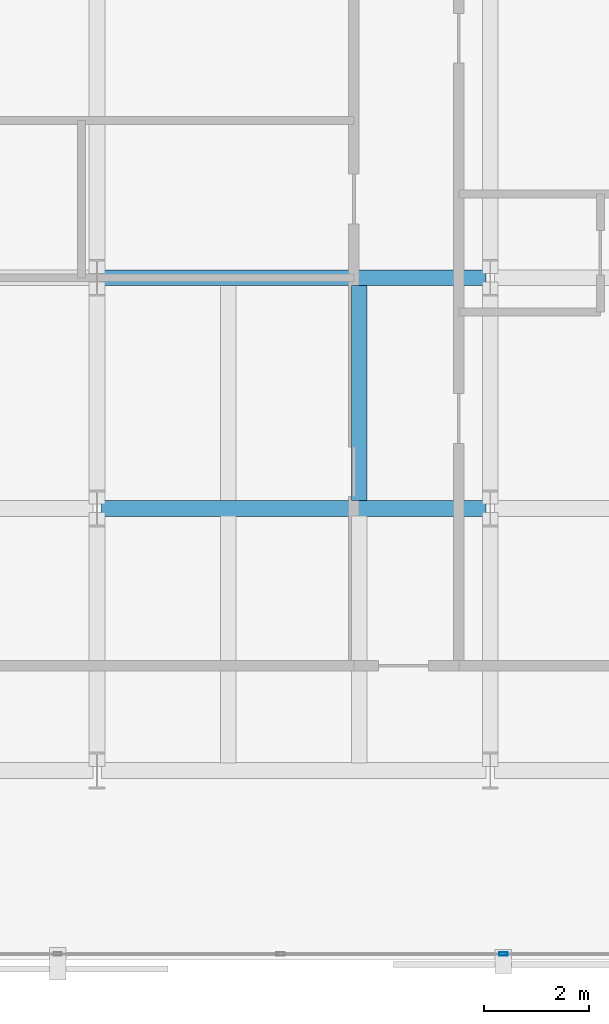
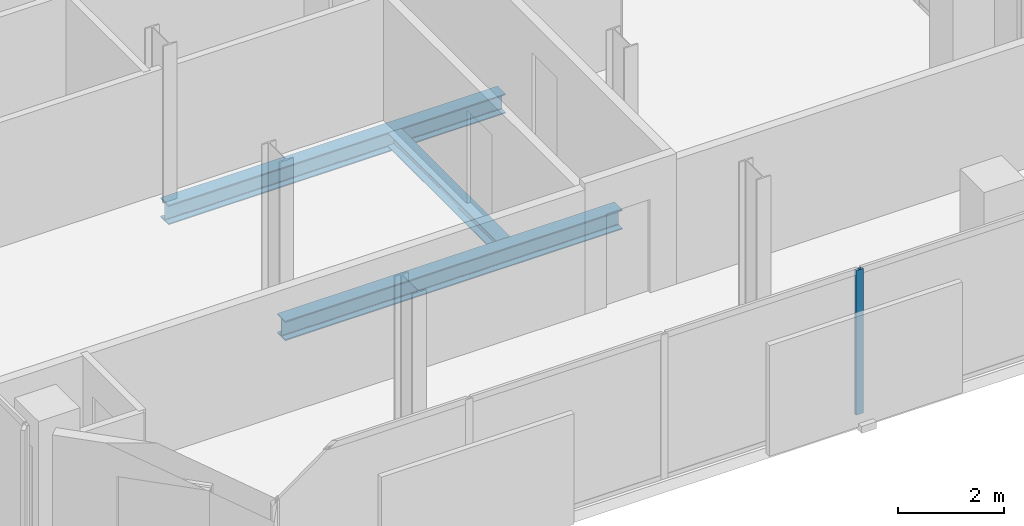
# One storey, part 6 of 33: 3 beams, 1 member, 1 element without a shape of its own.
"""IFC4 building model written with IfcOpenShell, lengths in metres."""

from ifc_helpers import new_model, si_unit, direction, frame, origin, origin_2d, place, context, subcontext, project, spatial, hollow_rectangle, i_section, extrude, material, layer, layer_set, material_profile, profile_set, type_object, element, aggregate, save


model = new_model("IFC4")

# Units and contexts
model_context = context("Model", 3, precision=1e-05, world=origin(), true_north=direction((0.0, 1.0)))
body_context = subcontext(model_context, "Body", "Model", "MODEL_VIEW")
ifc_project = project(units=[si_unit("LENGTHUNIT", "METRE"), si_unit("AREAUNIT", "SQUARE_METRE"), si_unit("VOLUMEUNIT", "CUBIC_METRE"), si_unit("PLANEANGLEUNIT", "RADIAN"), si_unit("MASSUNIT", "GRAM", prefix="KILO")], contexts=[model_context])

# Site, building, storey
site_placement = place(None, origin())
site = spatial("IfcSite", under=ifc_project, at=site_placement, CompositionType="ELEMENT")
building_placement = place(site_placement, origin())
building = spatial("IfcBuilding", under=site, at=building_placement, Name="Catumbela Crestline Tower", CompositionType="ELEMENT")
storey_placement = place(building_placement, frame((0.0, 0.0, 108.0)))
storey = spatial("IfcBuildingStorey", under=building, at=storey_placement, Name="L27", CompositionType="ELEMENT", Elevation=108.0)

# Beams
ifc_material_1 = material(Name="Structural steel S355J2", Category="steel")
ifc_material_profile_1 = material_profile(ifc_material_1, i_section(OverallWidth=0.3, OverallDepth=0.45, WebThickness=0.014, FlangeThickness=0.026, FilletRadius=0.027, at=origin_2d()), Name="HEB 450")
ifc_profile_set_1 = profile_set([ifc_material_profile_1], Name="Structural steel S355J2")
beam_type_1 = type_object("IfcBeamType", Name="BG-HEB450", PredefinedType="BEAM", material=ifc_profile_set_1)
for number, where, z_axis, x_axis, name in (
    (1, (8.58, 13.6, -0.485), (1.0, 0.0, 0.0), (0.0, 1.0, 0.0), "L27 Beam BM-L27-WEW47"),
    (2, (8.58, 18.0, -0.485), (1.0, 0.0, 0.0), (0.0, 1.0, 0.0), "L27 Beam BM-L27-WEW50"),
):
    element("IfcBeam", number, at=place(storey_placement, frame(where, z_axis=z_axis, x_axis=x_axis)), inside=storey, type_object=beam_type_1, Name=name, PredefinedType="BEAM", context=body_context, shape_type="SweptSolid", body=[
        extrude(i_section(OverallWidth=0.3, OverallDepth=0.45, WebThickness=0.014, FlangeThickness=0.026, FilletRadius=0.027, at=origin_2d()), origin(), (0.0, 0.0, 1.0), 7.34),
    ])
ifc_material_profile_2 = material_profile(ifc_material_1, i_section(OverallWidth=0.3, OverallDepth=0.31, WebThickness=0.009, FlangeThickness=0.0155, FilletRadius=0.027, at=origin_2d()), Name="HEA 320")
ifc_profile_set_2 = profile_set([ifc_material_profile_2], Name="Structural steel S355J2")
beam_type_2 = type_object("IfcBeamType", Name="BJ-HEA320", PredefinedType="JOIST", material=ifc_profile_set_2)
beam_placement = place(storey_placement, frame((13.5, 13.747, -0.415), z_axis=(0.0, 1.0, 0.0), x_axis=(-1.0, 0.0, 0.0)))
element("IfcBeam", 3, at=beam_placement, inside=storey, type_object=beam_type_2, Name="L27 Joist JS-L27-WG72", PredefinedType="JOIST", context=body_context, shape_type="SweptSolid", body=[
    extrude(i_section(OverallWidth=0.3, OverallDepth=0.31, WebThickness=0.009, FlangeThickness=0.0155, FilletRadius=0.027, at=origin_2d()), origin(), (0.0, 0.0, 1.0), 4.106),
])

# Curtain wall, member
ifc_material_2 = material(Name="Aluminium alloy AW-6060-T66", Category="aluminium")
ifc_layer = layer(ifc_material_2, 0.18, Name="Aluminium alloy AW-6060-T66")
ifc_layer_set = layer_set([ifc_layer], Name="Aluminium alloy AW-6060-T66")
curtain_wall_type = type_object("IfcCurtainWallType", Name="CWU-Z2", PredefinedType="USERDEFINED", material=ifc_layer_set)
curtain_wall_placement = place(storey_placement, origin())
curtain_wall = element("IfcCurtainWall", 4, at=curtain_wall_placement, inside=storey, type_object=curtain_wall_type, Name="L27 Unitised Curtain Wall CW-L27-E0S1", ObjectType="UNITISED", PredefinedType="USERDEFINED")
ifc_material_profile_3 = material_profile(ifc_material_2, hollow_rectangle(XDim=0.06, YDim=0.16, WallThickness=0.004, at=origin_2d()), Name="ALU 160x60x4")
ifc_profile_set_3 = profile_set([ifc_material_profile_3], Name="Aluminium alloy AW-6060-T66")
member_type = type_object("IfcMemberType", Name="MUL-160X60", PredefinedType="MULLION", material=ifc_profile_set_3)
member_placement = place(storey_placement, frame((16.25, 5.1, 0.0), z_axis=(0.0, 0.0, 1.0), x_axis=(0.0, 1.0, 0.0)))
member = element("IfcMember", 5, at=member_placement, type_object=member_type, Name="CWU-Z2 mullion 4", PredefinedType="MULLION", context=body_context, shape_type="SweptSolid", body=[
    extrude(hollow_rectangle(XDim=0.06, YDim=0.16, WallThickness=0.004, at=origin_2d()), origin(), (0.0, 0.0, 1.0), 3.33),
])
aggregate(curtain_wall, [member])

save(model, "model.ifc")
